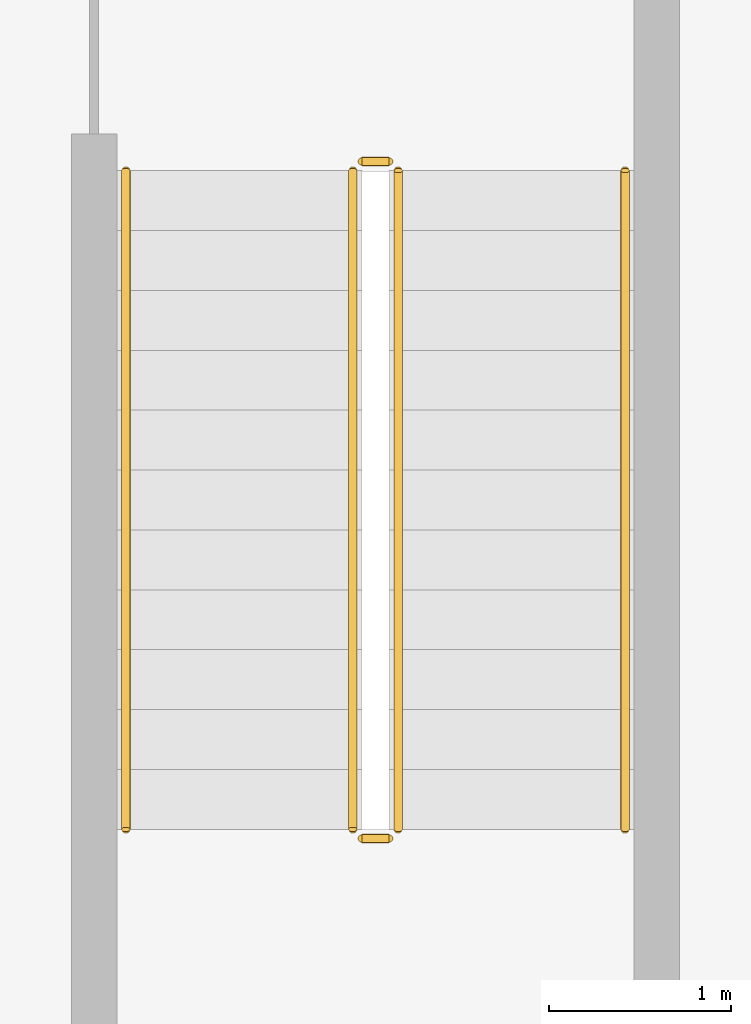
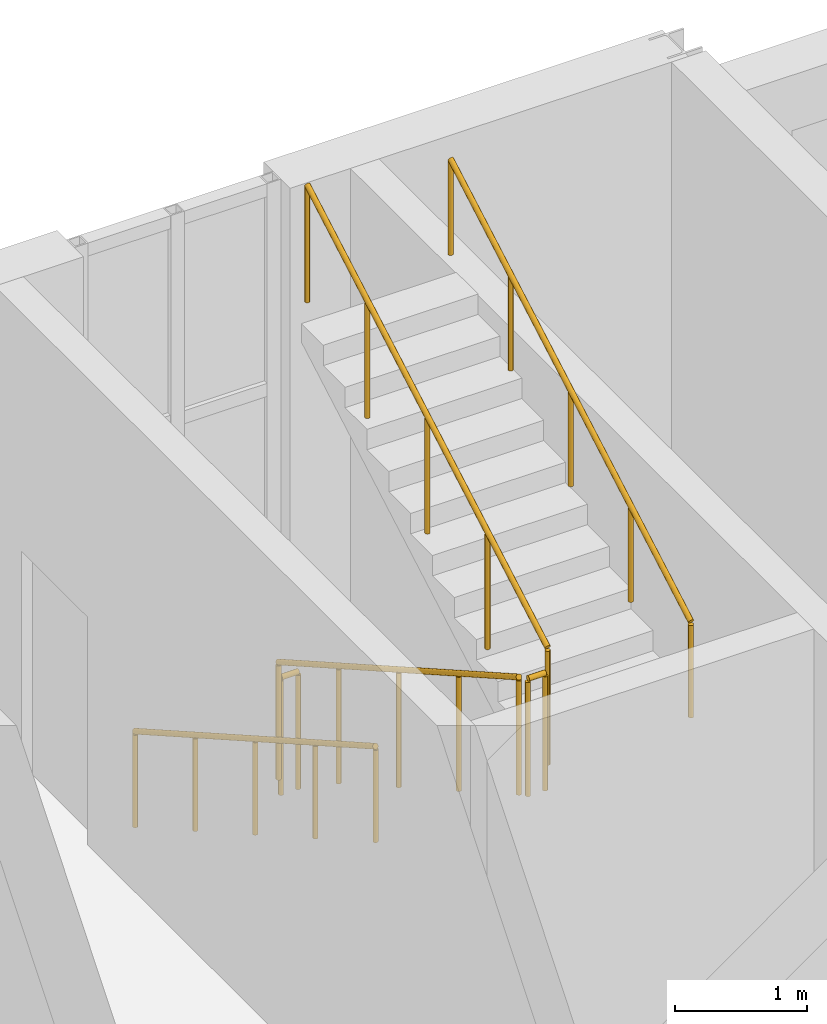
# One storey, part 123 of 134: 6 railings.
"""IFC4 building model written with IfcOpenShell, lengths in metres."""

from ifc_helpers import new_model, si_unit, direction, frame, origin, origin_2d, place, context, subcontext, project, spatial, circle, extrude, material, type_object, element, save


model = new_model("IFC4")

# Units and contexts
model_context = context("Model", 3, precision=1e-05, world=origin(), true_north=direction((0.0, 1.0)))
body_context = subcontext(model_context, "Body", "Model", "MODEL_VIEW")
ifc_project = project(units=[si_unit("LENGTHUNIT", "METRE"), si_unit("AREAUNIT", "SQUARE_METRE"), si_unit("VOLUMEUNIT", "CUBIC_METRE"), si_unit("PLANEANGLEUNIT", "RADIAN"), si_unit("MASSUNIT", "GRAM", prefix="KILO")], contexts=[model_context])

# Site, building, storey
site_placement = place(None, origin())
site = spatial("IfcSite", under=ifc_project, at=site_placement, CompositionType="ELEMENT")
building_placement = place(site_placement, origin())
building = spatial("IfcBuilding", under=site, at=building_placement, Name="Golden Quay Civic Hall", CompositionType="ELEMENT")
storey_placement = place(building_placement, frame((0.0, 0.0, 5.39990234375)))
storey = spatial("IfcBuildingStorey", under=building, at=storey_placement, Name="L01", CompositionType="ELEMENT", Elevation=5.39990234375)

# Railings
ifc_material_1 = material(Name="Steel S355", Category="steel")
railing_type_1 = type_object("IfcRailingType", Name="Steel guard 1100", PredefinedType="GUARDRAIL", material=ifc_material_1)
railing_1_placement = place(storey_placement, frame((67.5, 106.199951171875, 0.1875)))
element("IfcRailing", 1, at=railing_1_placement, inside=storey, type_object=railing_type_1, Name="L01 CB-NW stair guard 1", PredefinedType="GUARDRAIL", context=body_context, shape_type="SweptSolid", body=[
    extrude(circle(Radius=0.02392578125, at=origin_2d()), frame((0.0, 0.0, 1.076171875), z_axis=(0.0, -0.869449707104, 0.494021463923), x_axis=(1.0, 0.0, 0.0)), (0.0, 0.0, 1.0), 4.1748046875),
    extrude(circle(Radius=0.02099609375, at=origin_2d()), origin(), (0.0, 0.0, 1.0), 1.052001953125),
    extrude(circle(Radius=0.02099609375, at=origin_2d()), frame((0.0, -0.907470703125, 0.515625)), (0.0, 0.0, 1.0), 1.052001953125),
    extrude(circle(Radius=0.02099609375, at=origin_2d()), frame((0.0, -1.81494140625, 1.03125)), (0.0, 0.0, 1.0), 1.052001953125),
    extrude(circle(Radius=0.02099609375, at=origin_2d()), frame((0.0, -2.722412109375, 1.546875)), (0.0, 0.0, 1.0), 1.052001953125),
    extrude(circle(Radius=0.02099609375, at=origin_2d()), frame((0.0, -3.6298828125, 2.0625)), (0.0, 0.0, 1.0), 1.052001953125),
])
railing_2_placement = place(storey_placement, frame((67.550048828125, 102.52001953125, 2.25)))
element("IfcRailing", 2, at=railing_2_placement, inside=storey, type_object=railing_type_1, Name="L01 CB-NW stair guard 2", PredefinedType="GUARDRAIL", context=body_context, shape_type="SweptSolid", body=[
    extrude(circle(Radius=0.02392578125, at=origin_2d()), frame((0.0, 0.0, 1.076171875), z_axis=(1.0, 0.0, 0.0), x_axis=(0.0, 1.0, 0.0)), (0.0, 0.0, 1.0), 0.14990234375),
    extrude(circle(Radius=0.02099609375, at=origin_2d()), origin(), (0.0, 0.0, 1.0), 1.052001953125),
    extrude(circle(Radius=0.02099609375, at=origin_2d()), frame((0.14990234375, 0.0, 0.0)), (0.0, 0.0, 1.0), 1.052001953125),
])
railing_3_placement = place(storey_placement, frame((67.75, 102.570068359375, 2.4375)))
element("IfcRailing", 3, at=railing_3_placement, inside=storey, type_object=railing_type_1, Name="L01 CB-NW stair guard 3", PredefinedType="GUARDRAIL", context=body_context, shape_type="SweptSolid", body=[
    extrude(circle(Radius=0.02392578125, at=origin_2d()), frame((0.0, 0.0, 1.076171875), z_axis=(0.0, 0.869449707104, 0.494021463923), x_axis=(-1.0, 0.0, 0.0)), (0.0, 0.0, 1.0), 4.1748046875),
    extrude(circle(Radius=0.02099609375, at=origin_2d()), origin(), (0.0, 0.0, 1.0), 1.052001953125),
    extrude(circle(Radius=0.02099609375, at=origin_2d()), frame((0.0, 0.907470703125, 0.515625)), (0.0, 0.0, 1.0), 1.052001953125),
    extrude(circle(Radius=0.02099609375, at=origin_2d()), frame((0.0, 1.81494140625, 1.03125)), (0.0, 0.0, 1.0), 1.052001953125),
    extrude(circle(Radius=0.02099609375, at=origin_2d()), frame((0.0, 2.722412109375, 1.546875)), (0.0, 0.0, 1.0), 1.052001953125),
    extrude(circle(Radius=0.02099609375, at=origin_2d()), frame((0.0, 3.6298828125, 2.0625)), (0.0, 0.0, 1.0), 1.052001953125),
])
railing_4_placement = place(storey_placement, frame((67.550048828125, 106.25, 0.0)))
element("IfcRailing", 4, at=railing_4_placement, inside=storey, type_object=railing_type_1, Name="L01 CB-NW stair guard 4", PredefinedType="GUARDRAIL", context=body_context, shape_type="SweptSolid", body=[
    extrude(circle(Radius=0.02392578125, at=origin_2d()), frame((0.0, 0.0, 1.076171875), z_axis=(1.0, 0.0, 0.0), x_axis=(0.0, 1.0, 0.0)), (0.0, 0.0, 1.0), 0.14990234375),
    extrude(circle(Radius=0.02099609375, at=origin_2d()), origin(), (0.0, 0.0, 1.0), 1.052001953125),
    extrude(circle(Radius=0.02099609375, at=origin_2d()), frame((0.14990234375, 0.0, 0.0)), (0.0, 0.0, 1.0), 1.052001953125),
])
ifc_material_2 = material(Name="Steel S355", Category="steel")
railing_type_2 = type_object("IfcRailingType", Name="Steel handrail 900", PredefinedType="HANDRAIL", material=ifc_material_2)
railing_5_placement = place(storey_placement, frame((66.25, 106.199951171875, 0.1875)))
element("IfcRailing", 5, at=railing_5_placement, inside=storey, type_object=railing_type_2, Name="L01 CB-NW stair handrail 1", PredefinedType="HANDRAIL", context=body_context, shape_type="SweptSolid", body=[
    extrude(circle(Radius=0.02392578125, at=origin_2d()), frame((0.0, 0.0, 0.8759765625), z_axis=(0.0, -0.869449707104, 0.494021463923), x_axis=(1.0, 0.0, 0.0)), (0.0, 0.0, 1.0), 4.1748046875),
    extrude(circle(Radius=0.02099609375, at=origin_2d()), origin(), (0.0, 0.0, 1.0), 0.851806640625),
    extrude(circle(Radius=0.02099609375, at=origin_2d()), frame((0.0, -0.907470703125, 0.515625)), (0.0, 0.0, 1.0), 0.851806640625),
    extrude(circle(Radius=0.02099609375, at=origin_2d()), frame((0.0, -1.81494140625, 1.03125)), (0.0, 0.0, 1.0), 0.851806640625),
    extrude(circle(Radius=0.02099609375, at=origin_2d()), frame((0.0, -2.722412109375, 1.546875)), (0.0, 0.0, 1.0), 0.851806640625),
    extrude(circle(Radius=0.02099609375, at=origin_2d()), frame((0.0, -3.6298828125, 2.0625)), (0.0, 0.0, 1.0), 0.851806640625),
])
railing_6_placement = place(storey_placement, frame((69.0, 102.570068359375, 2.4375)))
element("IfcRailing", 6, at=railing_6_placement, inside=storey, type_object=railing_type_2, Name="L01 CB-NW stair handrail 2", PredefinedType="HANDRAIL", context=body_context, shape_type="SweptSolid", body=[
    extrude(circle(Radius=0.02392578125, at=origin_2d()), frame((0.0, 0.0, 0.8759765625), z_axis=(0.0, 0.869449707104, 0.494021463923), x_axis=(-1.0, 0.0, 0.0)), (0.0, 0.0, 1.0), 4.1748046875),
    extrude(circle(Radius=0.02099609375, at=origin_2d()), origin(), (0.0, 0.0, 1.0), 0.851806640625),
    extrude(circle(Radius=0.02099609375, at=origin_2d()), frame((0.0, 0.907470703125, 0.515625)), (0.0, 0.0, 1.0), 0.851806640625),
    extrude(circle(Radius=0.02099609375, at=origin_2d()), frame((0.0, 1.81494140625, 1.03125)), (0.0, 0.0, 1.0), 0.851806640625),
    extrude(circle(Radius=0.02099609375, at=origin_2d()), frame((0.0, 2.722412109375, 1.546875)), (0.0, 0.0, 1.0), 0.851806640625),
    extrude(circle(Radius=0.02099609375, at=origin_2d()), frame((0.0, 3.6298828125, 2.0625)), (0.0, 0.0, 1.0), 0.851806640625),
])

save(model, "model.ifc")
